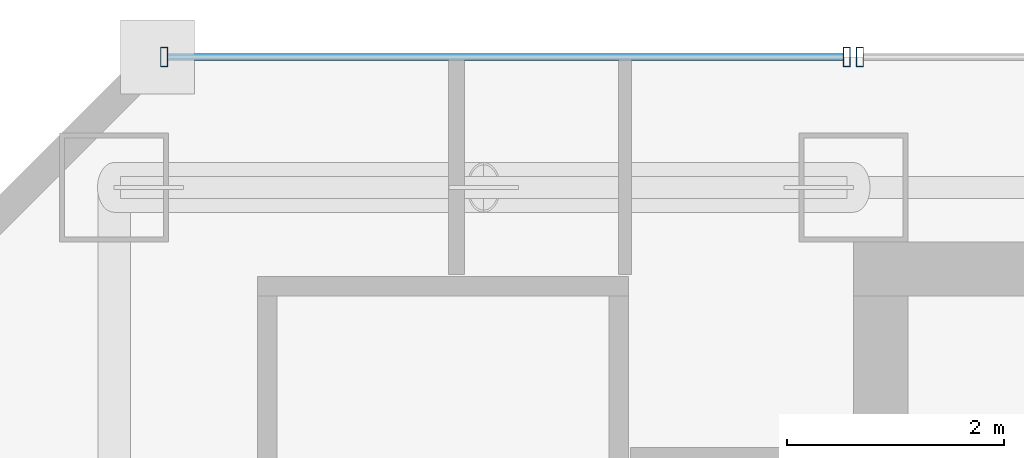
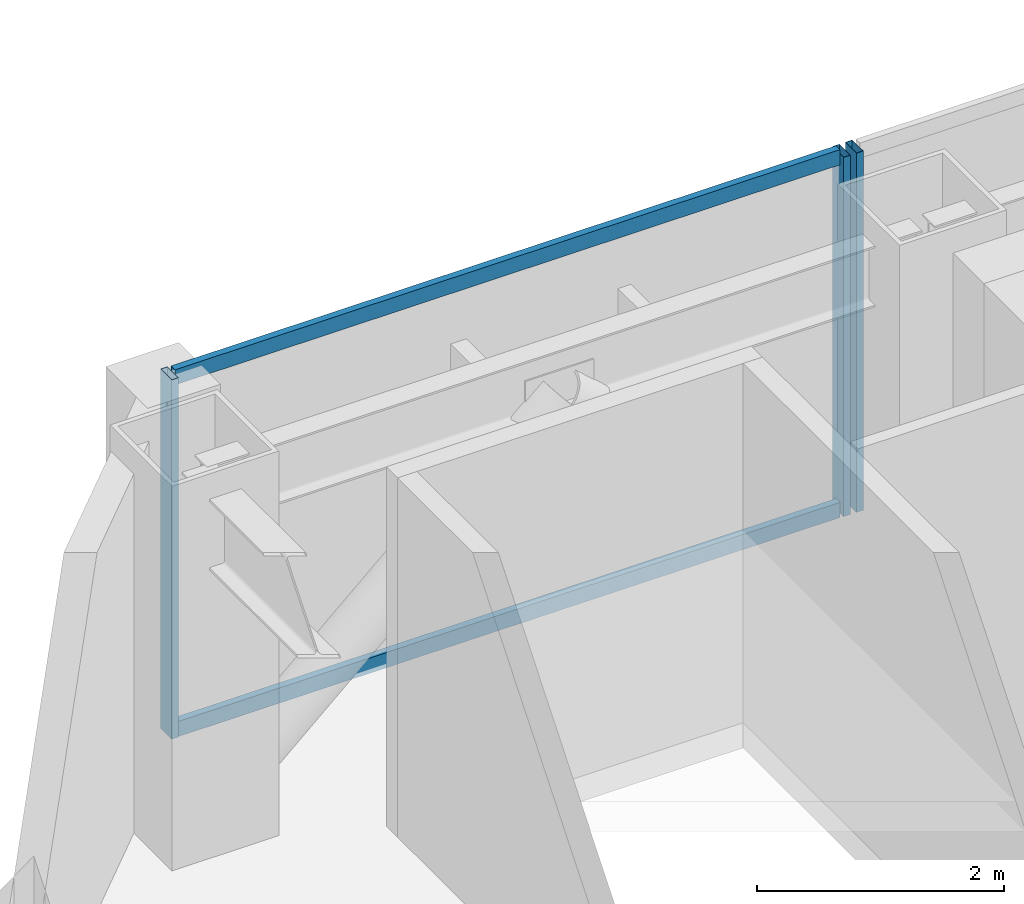
# One storey, part 22 of 36: 5 members, 2 elements without a shape of their own.
"""IFC4 building model written with IfcOpenShell, lengths in metres."""

from ifc_helpers import new_model, si_unit, direction, frame, origin, origin_2d, place, context, subcontext, project, spatial, hollow_rectangle, extrude, material, material_profile, profile_set, type_object, element, aggregate, save


model = new_model("IFC4")

# Units and contexts
model_context = context("Model", 3, precision=1e-05, world=origin(), true_north=direction((0.0, 1.0)))
body_context = subcontext(model_context, "Body", "Model", "MODEL_VIEW")
ifc_project = project(units=[si_unit("LENGTHUNIT", "METRE"), si_unit("AREAUNIT", "SQUARE_METRE"), si_unit("VOLUMEUNIT", "CUBIC_METRE"), si_unit("PLANEANGLEUNIT", "RADIAN"), si_unit("MASSUNIT", "GRAM", prefix="KILO")], contexts=[model_context])

# Site, building, storey
site_placement = place(None, origin())
site = spatial("IfcSite", under=ifc_project, at=site_placement, CompositionType="ELEMENT")
building_placement = place(site_placement, origin())
building = spatial("IfcBuilding", under=site, at=building_placement, Name="Saevonmaru Cultural Tower", CompositionType="ELEMENT")
storey_placement = place(building_placement, frame((0.0, 0.0, 148.60009765625)))
storey = spatial("IfcBuildingStorey", under=building, at=storey_placement, Name="L32", CompositionType="ELEMENT", Elevation=148.60009765625)

# Curtain wall, member
ifc_material = material(Name="Satin Bronze Anodised Aluminium", Category="aluminium")
curtain_wall_type = type_object("IfcCurtainWallType", Name="CW-TYP-A", PredefinedType="NOTDEFINED", material=ifc_material)
curtain_wall_1_placement = place(storey_placement, origin())
curtain_wall_1 = element("IfcCurtainWall", 1, at=curtain_wall_1_placement, inside=storey, type_object=curtain_wall_type, Name="L32 North Spine Unitised Curtain Wall E10B", PredefinedType="NOTDEFINED")
ifc_material_profile_1 = material_profile(ifc_material, hollow_rectangle(XDim=0.06494140625, YDim=0.179931640625, WallThickness=0.00390625, at=origin_2d()), Name="ALU-MULL-180x65x4")
ifc_profile_set_1 = profile_set([ifc_material_profile_1], Name="Satin Bronze Anodised Aluminium")
member_type_1 = type_object("IfcMemberType", Name="ML-CW-180x65", PredefinedType="MULLION", material=ifc_profile_set_1)
member_1_placement = place(storey_placement, frame((13.659912109375, 56.0, 0.0), z_axis=(0.0, 0.0, 1.0), x_axis=(-1.0, 0.0, 0.0)))
member_1 = element("IfcMember", 2, at=member_1_placement, type_object=member_type_1, Name="CW-TW-L32-E10B mullion 4", PredefinedType="MULLION", context=body_context, shape_type="SweptSolid", body=[
    extrude(hollow_rectangle(XDim=0.06494140625, YDim=0.179931640625, WallThickness=0.00390625, at=origin_2d()), origin(), (0.0, 0.0, 1.0), 3.5498046875),
])
aggregate(curtain_wall_1, [member_1])

# Curtain wall, members
curtain_wall_2_placement = place(storey_placement, origin())
curtain_wall_2 = element("IfcCurtainWall", 3, at=curtain_wall_2_placement, inside=storey, type_object=curtain_wall_type, Name="L32 West Braced Bay Spandrel Curtain Wall E10C", PredefinedType="NOTDEFINED")
member_2_placement = place(storey_placement, frame((13.5400390625, 56.0, 0.0), z_axis=(0.0, 0.0, 1.0), x_axis=(-1.0, 0.0, 0.0)))
member_2 = element("IfcMember", 4, at=member_2_placement, type_object=member_type_1, Name="CW-TW-L32-E10C mullion 1", PredefinedType="MULLION", context=body_context, shape_type="SweptSolid", body=[
    extrude(hollow_rectangle(XDim=0.06494140625, YDim=0.179931640625, WallThickness=0.00390625, at=origin_2d()), origin(), (0.0, 0.0, 1.0), 3.5498046875),
])
member_3_placement = place(storey_placement, frame((7.260009765625, 56.0, 0.0), z_axis=(0.0, 0.0, 1.0), x_axis=(-1.0, 0.0, 0.0)))
member_3 = element("IfcMember", 5, at=member_3_placement, type_object=member_type_1, Name="CW-TW-L32-E10C mullion 2", PredefinedType="MULLION", context=body_context, shape_type="SweptSolid", body=[
    extrude(hollow_rectangle(XDim=0.06494140625, YDim=0.179931640625, WallThickness=0.00390625, at=origin_2d()), origin(), (0.0, 0.0, 1.0), 3.5498046875),
])
ifc_material_profile_2 = material_profile(ifc_material, hollow_rectangle(XDim=0.06494140625, YDim=0.14990234375, WallThickness=0.00390625, at=origin_2d()), Name="ALU-TRAN-150x65x4")
ifc_profile_set_2 = profile_set([ifc_material_profile_2], Name="Satin Bronze Anodised Aluminium")
member_type_2 = type_object("IfcMemberType", Name="TR-CW-150x65", PredefinedType="USERDEFINED", material=ifc_profile_set_2)
member_4_placement = place(storey_placement, frame((13.507568359375, 56.0, 0.032470703125), z_axis=(-1.0, 0.0, 0.0), x_axis=(0.0, -1.0, 0.0)))
member_4 = element("IfcMember", 6, at=member_4_placement, type_object=member_type_2, Name="CW-TW-L32-E10C transom 1.1", ObjectType="TRANSOM", PredefinedType="USERDEFINED", context=body_context, shape_type="SweptSolid", body=[
    extrude(hollow_rectangle(XDim=0.06494140625, YDim=0.14990234375, WallThickness=0.00390625, at=origin_2d()), origin(), (0.0, 0.0, 1.0), 6.215087890625),
])
member_5_placement = place(storey_placement, frame((13.507568359375, 56.0, 3.517333984375), z_axis=(-1.0, 0.0, 0.0), x_axis=(0.0, -1.0, 0.0)))
member_5 = element("IfcMember", 7, at=member_5_placement, type_object=member_type_2, Name="CW-TW-L32-E10C transom 1.2", ObjectType="TRANSOM", PredefinedType="USERDEFINED", context=body_context, shape_type="SweptSolid", body=[
    extrude(hollow_rectangle(XDim=0.06494140625, YDim=0.14990234375, WallThickness=0.00390625, at=origin_2d()), origin(), (0.0, 0.0, 1.0), 6.215087890625),
])
aggregate(curtain_wall_2, [member_2, member_3, member_4, member_5])

save(model, "model.ifc")
